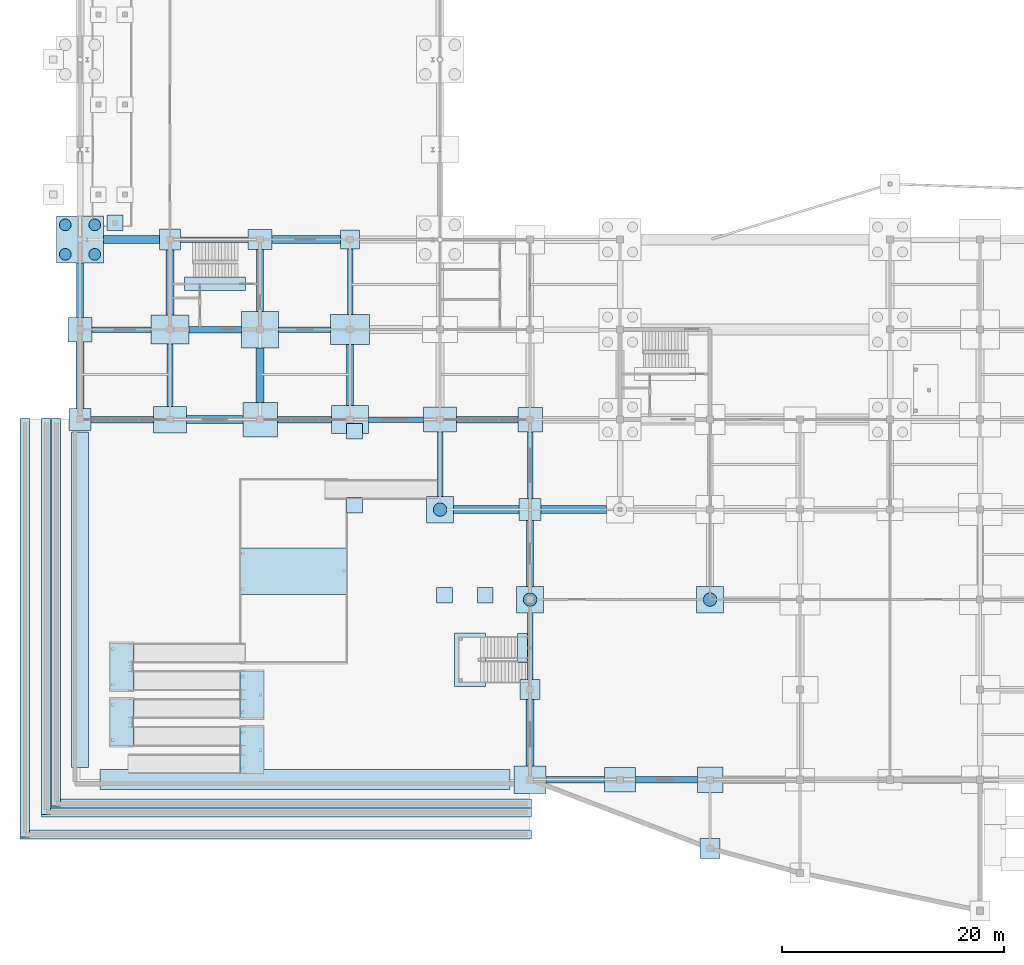
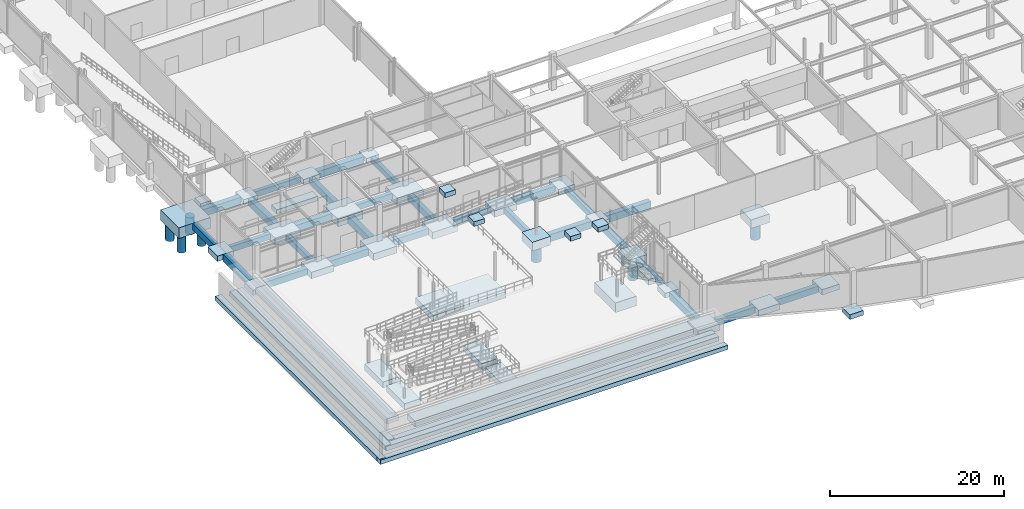
# One storey, part 1 of 67: 72 footings, 7 piles.
"""IFC4 building model written with IfcOpenShell, lengths in metres."""

from ifc_helpers import new_model, si_unit, direction, frame, origin, origin_2d, place, context, subcontext, project, spatial, rectangle, circle, extrude, material, material_profile, profile_set, type_object, element, save


model = new_model("IFC4")

# Units and contexts
model_context = context("Model", 3, precision=1e-05, world=origin(), true_north=direction((0.0, 1.0)))
body_context = subcontext(model_context, "Body", "Model", "MODEL_VIEW")
ifc_project = project(units=[si_unit("LENGTHUNIT", "METRE"), si_unit("AREAUNIT", "SQUARE_METRE"), si_unit("VOLUMEUNIT", "CUBIC_METRE"), si_unit("PLANEANGLEUNIT", "RADIAN"), si_unit("MASSUNIT", "GRAM", prefix="KILO")], contexts=[model_context])

# Site, building, storey
site_placement = place(None, origin())
site = spatial("IfcSite", under=ifc_project, at=site_placement, CompositionType="ELEMENT")
building_placement = place(site_placement, origin())
building = spatial("IfcBuilding", under=site, at=building_placement, Name="Vaudrelin Polytechnic", CompositionType="ELEMENT")
storey_placement = place(building_placement, frame((0.0, 0.0, -5.10009765625)))
storey = spatial("IfcBuildingStorey", under=building, at=storey_placement, Name="B1", CompositionType="ELEMENT", Elevation=-5.10009765625)

# Footings
ifc_material = material(Name="Concrete 40 MPa", Category="concrete")
footing_type_1 = type_object("IfcFootingType", Name="FTG-GB-01", PredefinedType="FOOTING_BEAM", material=ifc_material)
footing_1_placement = place(storey_placement, frame((3.75, 40.5, -1.2998046875), z_axis=(0.0, 0.0, 1.0), x_axis=(1.0, 0.0, 0.0)))
element("IfcFooting", 1, at=footing_1_placement, inside=storey, type_object=footing_type_1, Name="Ground tie beam GB-0003", PredefinedType="FOOTING_BEAM", context=body_context, shape_type="SweptSolid", body=[
    extrude(rectangle(XDim=5.300048828125, YDim=0.5, at=origin_2d()), origin(), (0.0, 0.0, 1.0), 0.800048828125),
])
footing_2_placement = place(storey_placement, frame((8.10009765625, 36.39990234375, -1.2998046875), z_axis=(0.0, 0.0, 1.0), x_axis=(1.0, 0.0, 0.0)))
element("IfcFooting", 2, at=footing_2_placement, inside=storey, type_object=footing_type_1, Name="Ground tie beam GB-0021", PredefinedType="FOOTING_BEAM", context=body_context, shape_type="SweptSolid", body=[
    extrude(rectangle(XDim=0.5, YDim=5.60009765625, at=origin_2d()), origin(), (0.0, 0.0, 1.0), 0.800048828125),
])
footing_3_placement = place(storey_placement, frame((12.074951171875, 48.60009765625, -1.2998046875), z_axis=(0.0, 0.0, 1.0), x_axis=(1.0, 0.0, 0.0)))
element("IfcFooting", 3, at=footing_3_placement, inside=storey, type_object=footing_type_1, Name="Ground tie beam GB-0024", PredefinedType="FOOTING_BEAM", context=body_context, shape_type="SweptSolid", body=[
    extrude(rectangle(XDim=6.050048828125, YDim=0.5, at=origin_2d()), origin(), (0.0, 0.0, 1.0), 0.800048828125),
])
footing_4_placement = place(storey_placement, frame((20.199951171875, 40.5, -1.2998046875), z_axis=(0.0, 0.0, 1.0), x_axis=(1.0, 0.0, 0.0)))
element("IfcFooting", 4, at=footing_4_placement, inside=storey, type_object=footing_type_1, Name="Ground tie beam GB-0036", PredefinedType="FOOTING_BEAM", context=body_context, shape_type="SweptSolid", body=[
    extrude(rectangle(XDim=4.699951171875, YDim=0.5, at=origin_2d()), origin(), (0.0, 0.0, 1.0), 0.800048828125),
])
footing_5_placement = place(storey_placement, frame((28.4375, 32.39990234375, -1.2998046875), z_axis=(0.0, 0.0, 1.0), x_axis=(1.0, 0.0, 0.0)))
element("IfcFooting", 5, at=footing_5_placement, inside=storey, type_object=footing_type_1, Name="Ground tie beam GB-0048", PredefinedType="FOOTING_BEAM", context=body_context, shape_type="SweptSolid", body=[
    extrude(rectangle(XDim=4.97509765625, YDim=0.5, at=origin_2d()), origin(), (0.0, 0.0, 1.0), 0.800048828125),
])
footing_6_placement = place(storey_placement, frame((24.300048828125, 44.800048828125, -1.2998046875), z_axis=(0.0, 0.0, 1.0), x_axis=(1.0, 0.0, 0.0)))
element("IfcFooting", 6, at=footing_6_placement, inside=storey, type_object=footing_type_1, Name="Ground tie beam GB-0051", PredefinedType="FOOTING_BEAM", context=body_context, shape_type="SweptSolid", body=[
    extrude(rectangle(XDim=0.5, YDim=5.89990234375, at=origin_2d()), origin(), (0.0, 0.0, 1.0), 0.800048828125),
])
footing_7_placement = place(storey_placement, frame((32.39990234375, 28.387451171875, -1.25), z_axis=(0.0, 0.0, 1.0), x_axis=(1.0, 0.0, 0.0)))
element("IfcFooting", 7, at=footing_7_placement, inside=storey, type_object=footing_type_1, Name="Ground tie beam GB-0063", PredefinedType="FOOTING_BEAM", context=body_context, shape_type="SweptSolid", body=[
    extrude(rectangle(XDim=0.5, YDim=5.77490234375, at=origin_2d()), origin(), (0.0, 0.0, 1.0), 0.800048828125),
])
for number, where, z_axis, x_axis, name in (
    (8, (40.5, 12.0, -1.25), (0.0, 0.0, 1.0), (1.0, 0.0, 0.0), "Ground tie beam GB-0084"),
    (9, (40.5, 28.300048828125, -1.25), (0.0, 0.0, 1.0), (1.0, 0.0, 0.0), "Ground tie beam GB-0087"),
):
    element("IfcFooting", number, at=place(storey_placement, frame(where, z_axis=z_axis, x_axis=x_axis)), inside=storey, type_object=footing_type_1, Name=name, PredefinedType="FOOTING_BEAM", context=body_context, shape_type="SweptSolid", body=[
        extrude(rectangle(XDim=0.5, YDim=6.0, at=origin_2d()), origin(), (0.0, 0.0, 1.0), 0.800048828125),
    ])
footing_type_2 = type_object("IfcFootingType", Name="FTG-GB-02", PredefinedType="FOOTING_BEAM", material=ifc_material)
footing_8_placement = place(storey_placement, frame((3.800048828125, 32.39990234375, -1.39990234375), z_axis=(0.0, 0.0, 1.0), x_axis=(1.0, 0.0, 0.0)))
element("IfcFooting", 10, at=footing_8_placement, inside=storey, type_object=footing_type_2, Name="Ground tie beam GB-0001", PredefinedType="FOOTING_BEAM", context=body_context, shape_type="SweptSolid", body=[
    extrude(rectangle(XDim=5.60009765625, YDim=0.60009765625, at=origin_2d()), origin(), (0.0, 0.0, 1.0), 0.89990234375),
])
footing_9_placement = place(storey_placement, frame((0.0, 44.050048828125, -1.39990234375), z_axis=(0.0, 0.0, 1.0), x_axis=(1.0, 0.0, 0.0)))
element("IfcFooting", 11, at=footing_9_placement, inside=storey, type_object=footing_type_2, Name="Ground tie beam GB-0004", PredefinedType="FOOTING_BEAM", context=body_context, shape_type="SweptSolid", body=[
    extrude(rectangle(XDim=0.60009765625, YDim=4.89990234375, at=origin_2d()), origin(), (0.0, 0.0, 1.0), 0.89990234375),
])
footing_10_placement = place(storey_placement, frame((12.175048828125, 40.5, -1.39990234375), z_axis=(0.0, 0.0, 1.0), x_axis=(1.0, 0.0, 0.0)))
element("IfcFooting", 12, at=footing_10_placement, inside=storey, type_object=footing_type_2, Name="Ground tie beam GB-0022", PredefinedType="FOOTING_BEAM", context=body_context, shape_type="SweptSolid", body=[
    extrude(rectangle(XDim=4.75, YDim=0.60009765625, at=origin_2d()), origin(), (0.0, 0.0, 1.0), 0.89990234375),
])
footing_11_placement = place(storey_placement, frame((20.199951171875, 32.39990234375, -1.39990234375), z_axis=(0.0, 0.0, 1.0), x_axis=(1.0, 0.0, 0.0)))
element("IfcFooting", 13, at=footing_11_placement, inside=storey, type_object=footing_type_2, Name="Ground tie beam GB-0034", PredefinedType="FOOTING_BEAM", context=body_context, shape_type="SweptSolid", body=[
    extrude(rectangle(XDim=4.89990234375, YDim=0.60009765625, at=origin_2d()), origin(), (0.0, 0.0, 1.0), 0.89990234375),
])
footing_12_placement = place(storey_placement, frame((16.199951171875, 44.925048828125, -1.39990234375), z_axis=(0.0, 0.0, 1.0), x_axis=(1.0, 0.0, 0.0)))
element("IfcFooting", 14, at=footing_12_placement, inside=storey, type_object=footing_type_2, Name="Ground tie beam GB-0037", PredefinedType="FOOTING_BEAM", context=body_context, shape_type="SweptSolid", body=[
    extrude(rectangle(XDim=0.60009765625, YDim=5.550048828125, at=origin_2d()), origin(), (0.0, 0.0, 1.0), 0.89990234375),
])
footing_13_placement = place(storey_placement, frame((24.300048828125, 36.39990234375, -1.39990234375), z_axis=(0.0, 0.0, 1.0), x_axis=(1.0, 0.0, 0.0)))
element("IfcFooting", 15, at=footing_13_placement, inside=storey, type_object=footing_type_2, Name="Ground tie beam GB-0049", PredefinedType="FOOTING_BEAM", context=body_context, shape_type="SweptSolid", body=[
    extrude(rectangle(XDim=0.60009765625, YDim=5.5, at=origin_2d()), origin(), (0.0, 0.0, 1.0), 0.89990234375),
])
footing_14_placement = place(storey_placement, frame((36.637451171875, 32.39990234375, -1.349853515625), z_axis=(0.0, 0.0, 1.0), x_axis=(1.0, 0.0, 0.0)))
element("IfcFooting", 16, at=footing_14_placement, inside=storey, type_object=footing_type_2, Name="Ground tie beam GB-0064", PredefinedType="FOOTING_BEAM", context=body_context, shape_type="SweptSolid", body=[
    extrude(rectangle(XDim=5.52490234375, YDim=0.60009765625, at=origin_2d()), origin(), (0.0, 0.0, 1.0), 0.89990234375),
])
footing_15_placement = place(storey_placement, frame((44.5625, 0.0, -1.349853515625), z_axis=(0.0, 0.0, 1.0), x_axis=(1.0, 0.0, 0.0)))
element("IfcFooting", 17, at=footing_15_placement, inside=storey, type_object=footing_type_2, Name="Ground tie beam GB-0082", PredefinedType="FOOTING_BEAM", context=body_context, shape_type="SweptSolid", body=[
    extrude(rectangle(XDim=5.27490234375, YDim=0.60009765625, at=origin_2d()), origin(), (0.0, 0.0, 1.0), 0.89990234375),
])
footing_16_placement = place(storey_placement, frame((40.5, 20.35009765625, -1.349853515625), z_axis=(0.0, 0.0, 1.0), x_axis=(1.0, 0.0, 0.0)))
element("IfcFooting", 18, at=footing_16_placement, inside=storey, type_object=footing_type_2, Name="Ground tie beam GB-0085", PredefinedType="FOOTING_BEAM", context=body_context, shape_type="SweptSolid", body=[
    extrude(rectangle(XDim=0.60009765625, YDim=5.89990234375, at=origin_2d()), origin(), (0.0, 0.0, 1.0), 0.89990234375),
])
footing_17_placement = place(storey_placement, frame((52.77490234375, 0.0, -1.349853515625), z_axis=(0.0, 0.0, 1.0), x_axis=(1.0, 0.0, 0.0)))
element("IfcFooting", 19, at=footing_17_placement, inside=storey, type_object=footing_type_2, Name="Ground tie beam GB-0100", PredefinedType="FOOTING_BEAM", context=body_context, shape_type="SweptSolid", body=[
    extrude(rectangle(XDim=5.550048828125, YDim=0.60009765625, at=origin_2d()), origin(), (0.0, 0.0, 1.0), 0.89990234375),
])
footing_type_3 = type_object("IfcFootingType", Name="FTG-GB-03", PredefinedType="FOOTING_BEAM", material=ifc_material)
footing_18_placement = place(storey_placement, frame((0.0, 36.39990234375, -1.5), z_axis=(0.0, 0.0, 1.0), x_axis=(1.0, 0.0, 0.0)))
element("IfcFooting", 20, at=footing_18_placement, inside=storey, type_object=footing_type_3, Name="Ground tie beam GB-0002", PredefinedType="FOOTING_BEAM", context=body_context, shape_type="SweptSolid", body=[
    extrude(rectangle(XDim=0.699951171875, YDim=6.0, at=origin_2d()), origin(), (0.0, 0.0, 1.0), 1.0),
])
for number, where, z_axis, x_axis, name in (
    (21, (4.625, 48.60009765625, -1.5), (0.0, 0.0, 1.0), (1.0, 0.0, 0.0), "Ground tie beam GB-0005"),
    (22, (12.125, 32.39990234375, -1.5), (0.0, 0.0, 1.0), (1.0, 0.0, 0.0), "Ground tie beam GB-0020"),
):
    element("IfcFooting", number, at=place(storey_placement, frame(where, z_axis=z_axis, x_axis=x_axis)), inside=storey, type_object=footing_type_3, Name=name, PredefinedType="FOOTING_BEAM", context=body_context, shape_type="SweptSolid", body=[
        extrude(rectangle(XDim=5.050048828125, YDim=0.699951171875, at=origin_2d()), origin(), (0.0, 0.0, 1.0), 1.0),
    ])
footing_19_placement = place(storey_placement, frame((8.10009765625, 44.72509765625, -1.5), z_axis=(0.0, 0.0, 1.0), x_axis=(1.0, 0.0, 0.0)))
element("IfcFooting", 23, at=footing_19_placement, inside=storey, type_object=footing_type_3, Name="Ground tie beam GB-0023", PredefinedType="FOOTING_BEAM", context=body_context, shape_type="SweptSolid", body=[
    extrude(rectangle(XDim=0.699951171875, YDim=5.85009765625, at=origin_2d()), origin(), (0.0, 0.0, 1.0), 1.0),
])
footing_20_placement = place(storey_placement, frame((16.199951171875, 36.39990234375, -1.5), z_axis=(0.0, 0.0, 1.0), x_axis=(1.0, 0.0, 0.0)))
element("IfcFooting", 24, at=footing_20_placement, inside=storey, type_object=footing_type_3, Name="Ground tie beam GB-0035", PredefinedType="FOOTING_BEAM", context=body_context, shape_type="SweptSolid", body=[
    extrude(rectangle(XDim=0.699951171875, YDim=4.89990234375, at=origin_2d()), origin(), (0.0, 0.0, 1.0), 1.0),
])
footing_21_placement = place(storey_placement, frame((20.375, 48.60009765625, -1.5), z_axis=(0.0, 0.0, 1.0), x_axis=(1.0, 0.0, 0.0)))
element("IfcFooting", 25, at=footing_21_placement, inside=storey, type_object=footing_type_3, Name="Ground tie beam GB-0038", PredefinedType="FOOTING_BEAM", context=body_context, shape_type="SweptSolid", body=[
    extrude(rectangle(XDim=6.14990234375, YDim=0.699951171875, at=origin_2d()), origin(), (0.0, 0.0, 1.0), 1.0),
])
footing_22_placement = place(storey_placement, frame((36.550048828125, 24.300048828125, -1.449951171875), z_axis=(0.0, 0.0, 1.0), x_axis=(1.0, 0.0, 0.0)))
element("IfcFooting", 26, at=footing_22_placement, inside=storey, type_object=footing_type_3, Name="Ground tie beam GB-0062", PredefinedType="FOOTING_BEAM", context=body_context, shape_type="SweptSolid", body=[
    extrude(rectangle(XDim=5.89990234375, YDim=0.699951171875, at=origin_2d()), origin(), (0.0, 0.0, 1.0), 1.0),
])
footing_23_placement = place(storey_placement, frame((40.5, 4.21240234375, -1.449951171875), z_axis=(0.0, 0.0, 1.0), x_axis=(1.0, 0.0, 0.0)))
element("IfcFooting", 27, at=footing_23_placement, inside=storey, type_object=footing_type_3, Name="Ground tie beam GB-0083", PredefinedType="FOOTING_BEAM", context=body_context, shape_type="SweptSolid", body=[
    extrude(rectangle(XDim=0.699951171875, YDim=5.97509765625, at=origin_2d()), origin(), (0.0, 0.0, 1.0), 1.0),
])
footing_24_placement = place(storey_placement, frame((44.449951171875, 24.300048828125, -1.449951171875), z_axis=(0.0, 0.0, 1.0), x_axis=(1.0, 0.0, 0.0)))
element("IfcFooting", 28, at=footing_24_placement, inside=storey, type_object=footing_type_3, Name="Ground tie beam GB-0086", PredefinedType="FOOTING_BEAM", context=body_context, shape_type="SweptSolid", body=[
    extrude(rectangle(XDim=5.89990234375, YDim=0.699951171875, at=origin_2d()), origin(), (0.0, 0.0, 1.0), 1.0),
])
footing_type_4 = type_object("IfcFootingType", Name="FTG-PC-01", PredefinedType="PILE_CAP", material=ifc_material)
for number, where, z_axis, x_axis, name in (
    (29, (32.39990234375, 24.300048828125, -1.19970703125), (0.0, 0.0, 1.0), (1.0, 0.0, 0.0), "Single-caisson cap CAP-13"),
    (30, (40.5, 16.199951171875, -1.64990234375), (0.0, 0.0, 1.0), (1.0, 0.0, 0.0), "Single-caisson cap CAP-15"),
    (31, (56.699951171875, 16.199951171875, -1.64990234375), (0.0, 0.0, 1.0), (1.0, 0.0, 0.0), "Single-caisson cap CAP-16"),
):
    element("IfcFooting", number, at=place(storey_placement, frame(where, z_axis=z_axis, x_axis=x_axis)), inside=storey, type_object=footing_type_4, Name=name, PredefinedType="PILE_CAP", context=body_context, shape_type="SweptSolid", body=[
        extrude(rectangle(XDim=2.39990234375, YDim=2.39990234375, at=origin_2d()), origin(), (0.0, 0.0, 1.0), 1.199951171875),
    ])
footing_type_5 = type_object("IfcFootingType", Name="FTG-PC-03", PredefinedType="PILE_CAP", material=ifc_material)
footing_25_placement = place(storey_placement, frame((0.0, 48.60009765625, -2.0), z_axis=(0.0, 0.0, 1.0), x_axis=(1.0, 0.0, 0.0)))
element("IfcFooting", 32, at=footing_25_placement, inside=storey, type_object=footing_type_5, Name="Pile cap CAP-01", PredefinedType="PILE_CAP", context=body_context, shape_type="SweptSolid", body=[
    extrude(rectangle(XDim=4.199951171875, YDim=4.199951171875, at=origin_2d()), origin(), (0.0, 0.0, 1.0), 1.5),
])
footing_type_6 = type_object("IfcFootingType", Name="FTG-PF-01", PredefinedType="PAD_FOOTING", material=ifc_material)
for number, where, z_axis, x_axis, name in (
    (33, (40.5, 8.10009765625, -1.099853515625), (0.0, 0.0, 1.0), (1.0, 0.0, 0.0), "Spread footing 5-1"),
    (34, (56.699951171875, -6.199951171875, -1.099853515625), (0.0, 0.0, 1.0), (1.0, 0.0, 0.0), "Sculptural prow footing V2P_7"),
):
    element("IfcFooting", number, at=place(storey_placement, frame(where, z_axis=z_axis, x_axis=x_axis)), inside=storey, type_object=footing_type_6, Name=name, PredefinedType="PAD_FOOTING", context=body_context, shape_type="SweptSolid", body=[
        extrude(rectangle(XDim=1.800048828125, YDim=1.800048828125, at=origin_2d()), origin(), (0.0, 0.0, 1.0), 0.64990234375),
    ])
footing_type_7 = type_object("IfcFootingType", Name="FTG-PF-02", PredefinedType="PAD_FOOTING", material=ifc_material)
for number, where, z_axis, x_axis, name in (
    (35, (0.0, 32.39990234375, -1.19970703125), (0.0, 0.0, 1.0), (1.0, 0.0, 0.0), "Spread footing 0-4"),
    (36, (40.5, 24.300048828125, -1.14990234375), (0.0, 0.0, 1.0), (1.0, 0.0, 0.0), "Spread footing 5-3"),
):
    element("IfcFooting", number, at=place(storey_placement, frame(where, z_axis=z_axis, x_axis=x_axis)), inside=storey, type_object=footing_type_7, Name=name, PredefinedType="PAD_FOOTING", context=body_context, shape_type="SweptSolid", body=[
        extrude(rectangle(XDim=2.0, YDim=2.0, at=origin_2d()), origin(), (0.0, 0.0, 1.0), 0.699951171875),
    ])
footing_type_8 = type_object("IfcFootingType", Name="FTG-PF-03", PredefinedType="PAD_FOOTING", material=ifc_material)
for number, where, z_axis, x_axis, name in (
    (37, (0.0, 40.5, -1.25), (0.0, 0.0, 1.0), (1.0, 0.0, 0.0), "Spread footing 0-5"),
    (38, (40.5, 32.39990234375, -1.199951171875), (0.0, 0.0, 1.0), (1.0, 0.0, 0.0), "Spread footing 5-4"),
):
    element("IfcFooting", number, at=place(storey_placement, frame(where, z_axis=z_axis, x_axis=x_axis)), inside=storey, type_object=footing_type_8, Name=name, PredefinedType="PAD_FOOTING", context=body_context, shape_type="SweptSolid", body=[
        extrude(rectangle(XDim=2.199951171875, YDim=2.199951171875, at=origin_2d()), origin(), (0.0, 0.0, 1.0), 0.75),
    ])
footing_type_9 = type_object("IfcFootingType", Name="FTG-PF-10", PredefinedType="PAD_FOOTING", material=ifc_material)
footing_26_placement = place(storey_placement, frame((48.60009765625, 0.0, -1.300048828125), z_axis=(0.0, 0.0, 1.0), x_axis=(1.0, 0.0, 0.0)))
element("IfcFooting", 39, at=footing_26_placement, inside=storey, type_object=footing_type_9, Name="Spread footing 6-0", PredefinedType="PAD_FOOTING", context=body_context, shape_type="SweptSolid", body=[
    extrude(rectangle(XDim=2.800048828125, YDim=2.199951171875, at=origin_2d()), origin(), (0.0, 0.0, 1.0), 0.85009765625),
])
footing_type_10 = type_object("IfcFootingType", Name="FTG-PF-11", PredefinedType="PAD_FOOTING", material=ifc_material)
footing_27_placement = place(storey_placement, frame((8.10009765625, 32.39990234375, -1.39990234375), z_axis=(0.0, 0.0, 1.0), x_axis=(1.0, 0.0, 0.0)))
element("IfcFooting", 40, at=footing_27_placement, inside=storey, type_object=footing_type_10, Name="Spread footing 1-4", PredefinedType="PAD_FOOTING", context=body_context, shape_type="SweptSolid", body=[
    extrude(rectangle(XDim=3.0, YDim=2.39990234375, at=origin_2d()), origin(), (0.0, 0.0, 1.0), 0.89990234375),
])
footing_type_11 = type_object("IfcFootingType", Name="FTG-PF-12", PredefinedType="PAD_FOOTING", material=ifc_material)
footing_28_placement = place(storey_placement, frame((8.10009765625, 40.5, -1.5), z_axis=(0.0, 0.0, 1.0), x_axis=(1.0, 0.0, 0.0)))
element("IfcFooting", 41, at=footing_28_placement, inside=storey, type_object=footing_type_11, Name="Spread footing 1-5", PredefinedType="PAD_FOOTING", context=body_context, shape_type="SweptSolid", body=[
    extrude(rectangle(XDim=3.39990234375, YDim=2.60009765625, at=origin_2d()), origin(), (0.0, 0.0, 1.0), 1.0),
])
footing_type_12 = type_object("IfcFootingType", Name="FTG-PF-13", PredefinedType="PAD_FOOTING", material=ifc_material)
footing_29_placement = place(storey_placement, frame((8.10009765625, 48.60009765625, -1.14990234375), z_axis=(0.0, 0.0, 1.0), x_axis=(1.0, 0.0, 0.0)))
element("IfcFooting", 42, at=footing_29_placement, inside=storey, type_object=footing_type_12, Name="Spread footing 1-6", PredefinedType="PAD_FOOTING", context=body_context, shape_type="SweptSolid", body=[
    extrude(rectangle(XDim=1.89990234375, YDim=1.89990234375, at=origin_2d()), origin(), (0.0, 0.0, 1.0), 0.64990234375),
])
footing_type_13 = type_object("IfcFootingType", Name="FTG-PF-15", PredefinedType="PAD_FOOTING", material=ifc_material)
footing_30_placement = place(storey_placement, frame((56.699951171875, 0.0, -1.199951171875), z_axis=(0.0, 0.0, 1.0), x_axis=(1.0, 0.0, 0.0)))
element("IfcFooting", 43, at=footing_30_placement, inside=storey, type_object=footing_type_13, Name="Spread footing 7-0", PredefinedType="PAD_FOOTING", context=body_context, shape_type="SweptSolid", body=[
    extrude(rectangle(XDim=2.300048828125, YDim=2.300048828125, at=origin_2d()), origin(), (0.0, 0.0, 1.0), 0.75),
])
footing_type_14 = type_object("IfcFootingType", Name="FTG-PF-19", PredefinedType="PAD_FOOTING", material=ifc_material)
footing_31_placement = place(storey_placement, frame((16.199951171875, 32.39990234375, -1.44970703125), z_axis=(0.0, 0.0, 1.0), x_axis=(1.0, 0.0, 0.0)))
element("IfcFooting", 44, at=footing_31_placement, inside=storey, type_object=footing_type_14, Name="Spread footing 2-4", PredefinedType="PAD_FOOTING", context=body_context, shape_type="SweptSolid", body=[
    extrude(rectangle(XDim=3.10009765625, YDim=3.10009765625, at=origin_2d()), origin(), (0.0, 0.0, 1.0), 0.949951171875),
])
footing_type_15 = type_object("IfcFootingType", Name="FTG-PF-20", PredefinedType="PAD_FOOTING", material=ifc_material)
footing_32_placement = place(storey_placement, frame((16.199951171875, 40.5, -1.5498046875), z_axis=(0.0, 0.0, 1.0), x_axis=(1.0, 0.0, 0.0)))
element("IfcFooting", 45, at=footing_32_placement, inside=storey, type_object=footing_type_15, Name="Spread footing 2-5", PredefinedType="PAD_FOOTING", context=body_context, shape_type="SweptSolid", body=[
    extrude(rectangle(XDim=3.300048828125, YDim=3.300048828125, at=origin_2d()), origin(), (0.0, 0.0, 1.0), 1.050048828125),
])
footing_type_16 = type_object("IfcFootingType", Name="FTG-PF-21", PredefinedType="PAD_FOOTING", material=ifc_material)
footing_33_placement = place(storey_placement, frame((16.199951171875, 48.60009765625, -1.19970703125), z_axis=(0.0, 0.0, 1.0), x_axis=(1.0, 0.0, 0.0)))
element("IfcFooting", 46, at=footing_33_placement, inside=storey, type_object=footing_type_16, Name="Spread footing 2-6", PredefinedType="PAD_FOOTING", context=body_context, shape_type="SweptSolid", body=[
    extrude(rectangle(XDim=2.199951171875, YDim=1.800048828125, at=origin_2d()), origin(), (0.0, 0.0, 1.0), 0.699951171875),
])
footing_type_17 = type_object("IfcFootingType", Name="FTG-PF-27", PredefinedType="PAD_FOOTING", material=ifc_material)
footing_34_placement = place(storey_placement, frame((24.300048828125, 32.39990234375, -1.47998046875), z_axis=(0.0, 0.0, 1.0), x_axis=(1.0, 0.0, 0.0)))
element("IfcFooting", 47, at=footing_34_placement, inside=storey, type_object=footing_type_17, Name="Spread footing 3-4", PredefinedType="PAD_FOOTING", context=body_context, shape_type="SweptSolid", body=[
    extrude(rectangle(XDim=3.300048828125, YDim=2.5, at=origin_2d()), origin(), (0.0, 0.0, 1.0), 0.97998046875),
])
footing_type_18 = type_object("IfcFootingType", Name="FTG-PF-28", PredefinedType="PAD_FOOTING", material=ifc_material)
footing_35_placement = place(storey_placement, frame((24.300048828125, 40.5, -1.5498046875), z_axis=(0.0, 0.0, 1.0), x_axis=(1.0, 0.0, 0.0)))
element("IfcFooting", 48, at=footing_35_placement, inside=storey, type_object=footing_type_18, Name="Spread footing 3-5", PredefinedType="PAD_FOOTING", context=body_context, shape_type="SweptSolid", body=[
    extrude(rectangle(XDim=3.5, YDim=2.699951171875, at=origin_2d()), origin(), (0.0, 0.0, 1.0), 1.050048828125),
])
footing_type_19 = type_object("IfcFootingType", Name="FTG-PF-29", PredefinedType="PAD_FOOTING", material=ifc_material)
footing_36_placement = place(storey_placement, frame((24.300048828125, 48.60009765625, -1.099853515625), z_axis=(0.0, 0.0, 1.0), x_axis=(1.0, 0.0, 0.0)))
element("IfcFooting", 49, at=footing_36_placement, inside=storey, type_object=footing_type_19, Name="Spread footing 3-6", PredefinedType="PAD_FOOTING", context=body_context, shape_type="SweptSolid", body=[
    extrude(rectangle(XDim=1.699951171875, YDim=1.699951171875, at=origin_2d()), origin(), (0.0, 0.0, 1.0), 0.60009765625),
])
footing_type_20 = type_object("IfcFootingType", Name="FTG-PF-35", PredefinedType="PAD_FOOTING", material=ifc_material)
footing_37_placement = place(storey_placement, frame((32.39990234375, 32.39990234375, -1.349853515625), z_axis=(0.0, 0.0, 1.0), x_axis=(1.0, 0.0, 0.0)))
element("IfcFooting", 50, at=footing_37_placement, inside=storey, type_object=footing_type_20, Name="Spread footing 4-4", PredefinedType="PAD_FOOTING", context=body_context, shape_type="SweptSolid", body=[
    extrude(rectangle(XDim=2.949951171875, YDim=2.25, at=origin_2d()), origin(), (0.0, 0.0, 1.0), 0.89990234375),
])
footing_type_21 = type_object("IfcFootingType", Name="FTG-PF-44", PredefinedType="PAD_FOOTING", material=ifc_material)
footing_38_placement = place(storey_placement, frame((40.5, 0.0, -1.329833984375), z_axis=(0.0, 0.0, 1.0), x_axis=(1.0, 0.0, 0.0)))
element("IfcFooting", 51, at=footing_38_placement, inside=storey, type_object=footing_type_21, Name="Spread footing 5-0", PredefinedType="PAD_FOOTING", context=body_context, shape_type="SweptSolid", body=[
    extrude(rectangle(XDim=2.85009765625, YDim=2.449951171875, at=origin_2d()), origin(), (0.0, 0.0, 1.0), 0.8798828125),
])
footing_type_22 = type_object("IfcFootingType", Name="FTG-PF-51", PredefinedType="PAD_FOOTING", material=ifc_material)
footing_39_placement = place(storey_placement, frame((35.10009765625, 10.800048828125, -1.800048828125), z_axis=(0.0, 0.0, 1.0), x_axis=(1.0, 0.0, 0.0)))
element("IfcFooting", 52, at=footing_39_placement, inside=storey, type_object=footing_type_22, Name="Forecourt feature stair combined pad", PredefinedType="PAD_FOOTING", context=body_context, shape_type="SweptSolid", body=[
    extrude(rectangle(XDim=2.800048828125, YDim=4.800048828125, at=origin_2d()), origin(), (0.0, 0.0, 1.0), 1.35009765625),
])
footing_type_23 = type_object("IfcFootingType", Name="FTG-PF-53", PredefinedType="PAD_FOOTING", material=ifc_material)
for number, where, z_axis, x_axis, name in (
    (53, (24.699951171875, 24.699951171875, 4.195068359375), (0.0, 0.0, 1.0), (1.0, 0.0, 0.0), "Plaza apron frost pier APR-01"),
    (54, (24.699951171875, 31.35009765625, 4.195068359375), (0.0, 0.0, 1.0), (1.0, 0.0, 0.0), "Plaza apron frost pier APR-02"),
    (55, (32.800048828125, 16.60009765625, 4.195068359375), (0.0, 0.0, 1.0), (1.0, 0.0, 0.0), "Plaza apron frost pier APR-03"),
    (56, (36.449951171875, 16.60009765625, 4.195068359375), (0.0, 0.0, 1.0), (1.0, 0.0, 0.0), "Plaza apron frost pier APR-04"),
    (57, (3.14990234375, 50.10009765625, -1.14990234375), (0.0, 0.0, 1.0), (1.0, 0.0, 0.0), "Vehicle ramp pier pad footing VRMP-TOP"),
):
    element("IfcFooting", number, at=place(storey_placement, frame(where, z_axis=z_axis, x_axis=x_axis)), inside=storey, type_object=footing_type_23, Name=name, PredefinedType="PAD_FOOTING", context=body_context, shape_type="SweptSolid", body=[
        extrude(rectangle(XDim=1.39990234375, YDim=1.39990234375, at=origin_2d()), origin(), (0.0, 0.0, 1.0), 0.64990234375),
    ])
footing_type_24 = type_object("IfcFootingType", Name="FTG-PF-54", PredefinedType="PAD_FOOTING", material=ifc_material)
footing_40_placement = place(storey_placement, frame((40.050048828125, 11.85009765625, -1.25), z_axis=(0.0, 0.0, 1.0), x_axis=(1.0, 0.0, 0.0)))
element("IfcFooting", 58, at=footing_40_placement, inside=storey, type_object=footing_type_24, Name="Forecourt stair arrival pier footing", PredefinedType="PAD_FOOTING", context=body_context, shape_type="SweptSolid", body=[
    extrude(rectangle(XDim=1.39990234375, YDim=2.60009765625, at=origin_2d()), origin(), (0.0, 0.0, 1.0), 0.800048828125),
])
footing_type_25 = type_object("IfcFootingType", Name="FTG-PF-55", PredefinedType="PAD_FOOTING", material=ifc_material)
for number, where, z_axis, x_axis, name in (
    (59, (15.449951171875, 2.64990234375, -1.300048828125), (0.0, 0.0, 1.0), (1.0, 0.0, 0.0), "Forecourt ramp landing 1 combined footing"),
    (60, (3.75, 5.14990234375, -1.300048828125), (0.0, 0.0, 1.0), (1.0, 0.0, 0.0), "Forecourt ramp landing 2 combined footing"),
    (61, (15.449951171875, 7.64990234375, -1.300048828125), (0.0, 0.0, 1.0), (1.0, 0.0, 0.0), "Forecourt ramp landing 3 combined footing"),
    (62, (3.75, 10.14990234375, -1.300048828125), (0.0, 0.0, 1.0), (1.0, 0.0, 0.0), "Forecourt ramp landing 4 combined footing"),
):
    element("IfcFooting", number, at=place(storey_placement, frame(where, z_axis=z_axis, x_axis=x_axis)), inside=storey, type_object=footing_type_25, Name=name, PredefinedType="PAD_FOOTING", context=body_context, shape_type="SweptSolid", body=[
        extrude(rectangle(XDim=2.10009765625, YDim=4.199951171875, at=origin_2d()), origin(), (0.0, 0.0, 1.0), 0.85009765625),
    ])
footing_type_26 = type_object("IfcFootingType", Name="FTG-PF-56", PredefinedType="PAD_FOOTING", material=ifc_material)
footing_41_placement = place(storey_placement, frame((19.199951171875, 18.75, -1.300048828125), z_axis=(0.0, 0.0, 1.0), x_axis=(1.0, 0.0, 0.0)))
element("IfcFooting", 63, at=footing_41_placement, inside=storey, type_object=footing_type_26, Name="Forecourt ramp landing 5 combined footing", PredefinedType="PAD_FOOTING", context=body_context, shape_type="SweptSolid", body=[
    extrude(rectangle(XDim=9.60009765625, YDim=4.199951171875, at=origin_2d()), origin(), (0.0, 0.0, 1.0), 0.85009765625),
])
footing_type_27 = type_object("IfcFootingType", Name="FTG-SF-01", PredefinedType="STRIP_FOOTING", material=ifc_material)
footing_42_placement = place(storey_placement, frame((12.14990234375, 44.610107421875, -1.099853515625), z_axis=(0.0, 0.0, 1.0), x_axis=(1.0, 0.0, 0.0)))
element("IfcFooting", 64, at=footing_42_placement, inside=storey, type_object=footing_type_27, Name="Core C3 stair wall strip footing", PredefinedType="STRIP_FOOTING", context=body_context, shape_type="SweptSolid", body=[
    extrude(rectangle(XDim=5.5, YDim=1.199951171875, at=origin_2d()), origin(), (0.0, 0.0, 1.0), 0.60009765625),
])
footing_type_28 = type_object("IfcFootingType", Name="FTG-SF-02", PredefinedType="STRIP_FOOTING", material=ifc_material)
footing_43_placement = place(storey_placement, frame((0.0, 16.199951171875, -0.89990234375), z_axis=(0.0, 0.0, 1.0), x_axis=(1.0, 0.0, 0.0)))
element("IfcFooting", 65, at=footing_43_placement, inside=storey, type_object=footing_type_28, Name="Retaining wall strip footing SF-FC-W", PredefinedType="STRIP_FOOTING", context=body_context, shape_type="SweptSolid", body=[
    extrude(rectangle(XDim=1.5, YDim=30.199951171875, at=origin_2d()), origin(), (0.0, 0.0, 1.0), 0.699951171875),
])
footing_type_29 = type_object("IfcFootingType", Name="FTG-SF-03", PredefinedType="STRIP_FOOTING", material=ifc_material)
footing_44_placement = place(storey_placement, frame((20.25, 0.0, -1.0), z_axis=(0.0, 0.0, 1.0), x_axis=(1.0, 0.0, 0.0)))
element("IfcFooting", 66, at=footing_44_placement, inside=storey, type_object=footing_type_29, Name="Retaining wall strip footing SF-FC-S", PredefinedType="STRIP_FOOTING", context=body_context, shape_type="SweptSolid", body=[
    extrude(rectangle(XDim=36.89990234375, YDim=1.800048828125, at=origin_2d()), origin(), (0.0, 0.0, 1.0), 0.800048828125),
])
footing_type_30 = type_object("IfcFootingType", Name="FTG-SF-04", PredefinedType="STRIP_FOOTING", material=ifc_material)
footing_45_placement = place(storey_placement, frame((17.64990234375, -4.949951171875, -1.050048828125), z_axis=(0.0, 0.0, 1.0), x_axis=(1.0, 0.0, 0.0)))
element("IfcFooting", 67, at=footing_45_placement, inside=storey, type_object=footing_type_30, Name="Metro amphitheatre step footing 1.1", PredefinedType="STRIP_FOOTING", context=body_context, shape_type="SweptSolid", body=[
    extrude(rectangle(XDim=46.0, YDim=0.800048828125, at=origin_2d()), origin(), (0.0, 0.0, 1.0), 0.60009765625),
])
footing_46_placement = place(storey_placement, frame((-4.949951171875, 13.699951171875, -1.050048828125), z_axis=(0.0, 0.0, 1.0), x_axis=(1.0, 0.0, 0.0)))
element("IfcFooting", 68, at=footing_46_placement, inside=storey, type_object=footing_type_30, Name="Metro amphitheatre step footing 1.2", PredefinedType="STRIP_FOOTING", context=body_context, shape_type="SweptSolid", body=[
    extrude(rectangle(XDim=0.800048828125, YDim=37.699951171875, at=origin_2d()), origin(), (0.0, 0.0, 1.0), 0.60009765625),
])
footing_47_placement = place(storey_placement, frame((18.60009765625, -2.949951171875, -1.050048828125), z_axis=(0.0, 0.0, 1.0), x_axis=(1.0, 0.0, 0.0)))
element("IfcFooting", 69, at=footing_47_placement, inside=storey, type_object=footing_type_30, Name="Metro amphitheatre step footing 1.3", PredefinedType="STRIP_FOOTING", context=body_context, shape_type="SweptSolid", body=[
    extrude(rectangle(XDim=44.10009765625, YDim=0.800048828125, at=origin_2d()), origin(), (0.0, 0.0, 1.0), 0.60009765625),
])
footing_48_placement = place(storey_placement, frame((-3.050048828125, 14.699951171875, -1.050048828125), z_axis=(0.0, 0.0, 1.0), x_axis=(1.0, 0.0, 0.0)))
element("IfcFooting", 70, at=footing_48_placement, inside=storey, type_object=footing_type_30, Name="Metro amphitheatre step footing 1.4", PredefinedType="STRIP_FOOTING", context=body_context, shape_type="SweptSolid", body=[
    extrude(rectangle(XDim=0.800048828125, YDim=35.699951171875, at=origin_2d()), origin(), (0.0, 0.0, 1.0), 0.60009765625),
])
footing_49_placement = place(storey_placement, frame((19.050048828125, -2.14990234375, -1.050048828125), z_axis=(0.0, 0.0, 1.0), x_axis=(1.0, 0.0, 0.0)))
element("IfcFooting", 71, at=footing_49_placement, inside=storey, type_object=footing_type_30, Name="Metro amphitheatre step footing 2.1", PredefinedType="STRIP_FOOTING", context=body_context, shape_type="SweptSolid", body=[
    extrude(rectangle(XDim=43.199951171875, YDim=0.800048828125, at=origin_2d()), origin(), (0.0, 0.0, 1.0), 0.60009765625),
])
footing_50_placement = place(storey_placement, frame((-2.14990234375, 15.10009765625, -1.050048828125), z_axis=(0.0, 0.0, 1.0), x_axis=(1.0, 0.0, 0.0)))
element("IfcFooting", 72, at=footing_50_placement, inside=storey, type_object=footing_type_30, Name="Metro amphitheatre step footing 2.2", PredefinedType="STRIP_FOOTING", context=body_context, shape_type="SweptSolid", body=[
    extrude(rectangle(XDim=0.800048828125, YDim=34.89990234375, at=origin_2d()), origin(), (0.0, 0.0, 1.0), 0.60009765625),
])

# Piles
ifc_material_profile_1 = material_profile(ifc_material, circle(Radius=0.52490234375, at=origin_2d()), Name="CAISSON1050")
ifc_profile_set_1 = profile_set([ifc_material_profile_1], Name="Concrete 40 MPa")
pile_type_1 = type_object("IfcPileType", Name="PILE-CA-02", PredefinedType="BORED", material=ifc_profile_set_1)
for number, where, z_axis, x_axis, name in (
    (73, (-1.324951171875, 47.27490234375, -2.0), (0.0, 0.0, -1.0), (1.0, 0.0, 0.0), "Rock-socketed caisson P-001"),
    (74, (-1.324951171875, 49.925048828125, -2.0), (0.0, 0.0, -1.0), (1.0, 0.0, 0.0), "Rock-socketed caisson P-002"),
    (75, (1.324951171875, 47.27490234375, -2.0), (0.0, 0.0, -1.0), (1.0, 0.0, 0.0), "Rock-socketed caisson P-003"),
    (76, (1.324951171875, 49.925048828125, -2.0), (0.0, 0.0, -1.0), (1.0, 0.0, 0.0), "Rock-socketed caisson P-004"),
):
    element("IfcPile", number, at=place(storey_placement, frame(where, z_axis=z_axis, x_axis=x_axis)), inside=storey, type_object=pile_type_1, Name=name, PredefinedType="BORED", context=body_context, shape_type="SweptSolid", body=[
        extrude(circle(Radius=0.52490234375, at=origin_2d()), origin(), (0.0, 0.0, 1.0), 2.39990234375),
    ])
ifc_material_profile_2 = material_profile(ifc_material, circle(Radius=0.60009765625, at=origin_2d()), Name="CAISSON1200")
ifc_profile_set_2 = profile_set([ifc_material_profile_2], Name="Concrete 40 MPa")
pile_type_2 = type_object("IfcPileType", Name="PILE-CA-03", PredefinedType="BORED", material=ifc_profile_set_2)
for number, where, z_axis, x_axis, name in (
    (77, (32.39990234375, 24.300048828125, -1.199951171875), (0.0, 0.0, -1.0), (1.0, 0.0, 0.0), "Rock-socketed caisson P-049"),
    (78, (40.5, 16.199951171875, -1.64990234375), (0.0, 0.0, -1.0), (1.0, 0.0, 0.0), "Rock-socketed caisson P-051"),
    (79, (56.699951171875, 16.199951171875, -1.64990234375), (0.0, 0.0, -1.0), (1.0, 0.0, 0.0), "Rock-socketed caisson P-052"),
):
    element("IfcPile", number, at=place(storey_placement, frame(where, z_axis=z_axis, x_axis=x_axis)), inside=storey, type_object=pile_type_2, Name=name, PredefinedType="BORED", context=body_context, shape_type="SweptSolid", body=[
        extrude(circle(Radius=0.60009765625, at=origin_2d()), origin(), (0.0, 0.0, 1.0), 2.39990234375),
    ])

save(model, "model.ifc")
